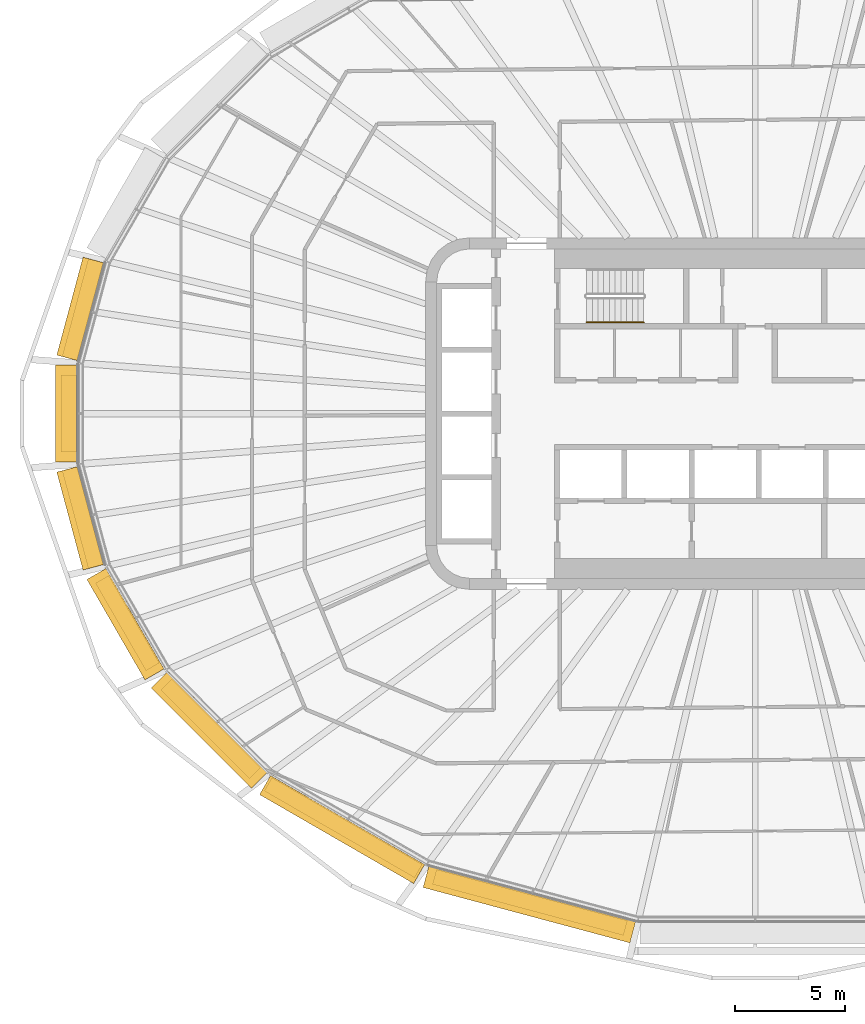
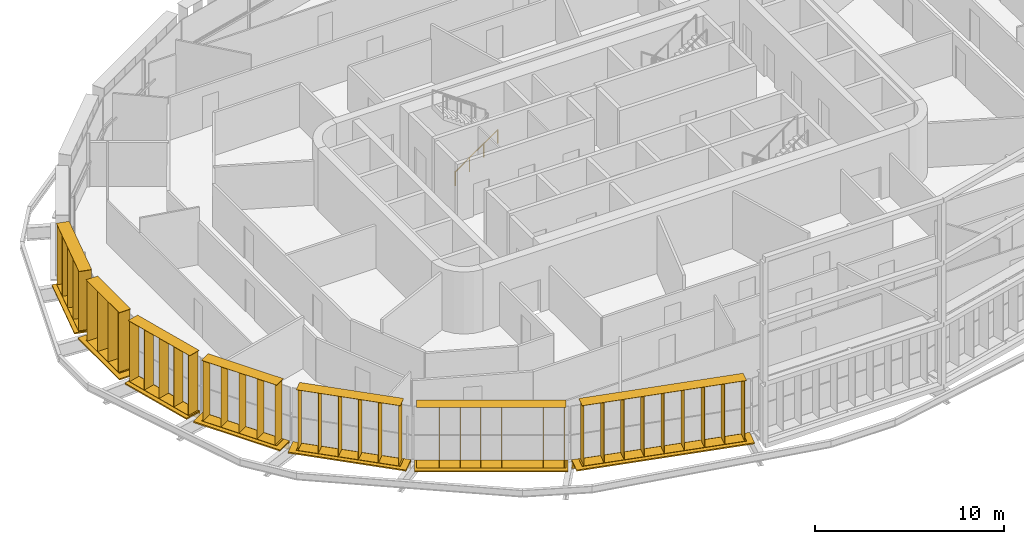
# One storey, part 18 of 23: 14 shading devices, 1 railing.
"""IFC4 building model written with IfcOpenShell, lengths in metres."""

from ifc_helpers import new_model, si_unit, direction, frame, origin, origin_2d, place, context, subcontext, project, spatial, rectangle, circle, extrude, material, type_object, element, save


model = new_model("IFC4")

# Units and contexts
model_context = context("Model", 3, precision=1e-05, world=origin(), true_north=direction((0.0, 1.0)))
body_context = subcontext(model_context, "Body", "Model", "MODEL_VIEW")
ifc_project = project(units=[si_unit("LENGTHUNIT", "METRE"), si_unit("AREAUNIT", "SQUARE_METRE"), si_unit("VOLUMEUNIT", "CUBIC_METRE"), si_unit("PLANEANGLEUNIT", "RADIAN"), si_unit("MASSUNIT", "GRAM", prefix="KILO")], contexts=[model_context])

# Site, building, storey
site_placement = place(None, origin())
site = spatial("IfcSite", under=ifc_project, at=site_placement, CompositionType="ELEMENT")
building_placement = place(site_placement, origin())
building = spatial("IfcBuilding", under=site, at=building_placement, Name="Sahrelin Media Tower", CompositionType="ELEMENT")
storey_placement = place(building_placement, frame((0.0, 0.0, 185.60009765625)))
storey = spatial("IfcBuildingStorey", under=building, at=storey_placement, Name="L39", CompositionType="ELEMENT", Elevation=185.60009765625)

# Shading devices
ifc_material_1 = material(Name="Champagne anodised aluminium 6063-T6", Category="aluminium")
shading_device_type_1 = type_object("IfcShadingDeviceType", Name="Fin cassette", PredefinedType="USERDEFINED", material=ifc_material_1)
placement_1 = place(storey_placement, frame((-30.2041015625, 4.627197265625, 0.0), z_axis=(0.0, 0.0, 1.0), x_axis=(0.258807731996, 0.965928857556, 0.0)))
element("IfcShadingDevice", 1, at=placement_1, inside=storey, type_object=shading_device_type_1, Name="L39:FIN:L39-11", ObjectType="FIN", PredefinedType="USERDEFINED", context=body_context, shape_type="SweptSolid", body=[
    extrude(rectangle(XDim=4.60009765625, YDim=0.699951171875, at=origin_2d()), frame((0.0, 0.419921875, 0.0)), (0.0, 0.0, 1.0), 0.02001953125),
    extrude(rectangle(XDim=4.60009765625, YDim=0.699951171875, at=origin_2d()), frame((0.0, 0.419921875, 3.89990234375)), (0.0, 0.0, 1.0), 0.02001953125),
    extrude(rectangle(XDim=0.02001953125, YDim=0.699951171875, at=origin_2d()), frame((-2.199951171875, 0.419921875, 0.010009765625), z_axis=(0.0, 0.0, 1.0), x_axis=(1.0, 0.0, 0.0)), (0.0, 0.0, 1.0), 3.89990234375),
    extrude(rectangle(XDim=0.02001953125, YDim=0.699951171875, at=origin_2d()), frame((-1.10009765625, 0.419921875, 0.010009765625), z_axis=(0.0, 0.0, 1.0), x_axis=(1.0, 0.0, 0.0)), (0.0, 0.0, 1.0), 3.89990234375),
    extrude(rectangle(XDim=0.02001953125, YDim=0.699951171875, at=origin_2d()), frame((0.0, 0.419921875, 0.010009765625), z_axis=(0.0, 0.0, 1.0), x_axis=(1.0, 0.0, 0.0)), (0.0, 0.0, 1.0), 3.89990234375),
    extrude(rectangle(XDim=0.02001953125, YDim=0.699951171875, at=origin_2d()), frame((1.10009765625, 0.419921875, 0.010009765625), z_axis=(0.0, 0.0, 1.0), x_axis=(1.0, 0.0, 0.0)), (0.0, 0.0, 1.0), 3.89990234375),
    extrude(rectangle(XDim=0.02001953125, YDim=0.699951171875, at=origin_2d()), frame((2.199951171875, 0.419921875, 0.010009765625), z_axis=(0.0, 0.0, 1.0), x_axis=(1.0, 0.0, 0.0)), (0.0, 0.0, 1.0), 3.89990234375),
])
placement_2 = place(storey_placement, frame((-30.827392578125, 0.0, 0.0), z_axis=(0.0, 0.0, 1.0), x_axis=(0.0, 1.0, 0.0)))
element("IfcShadingDevice", 2, at=placement_2, inside=storey, type_object=shading_device_type_1, Name="L39:FIN:L39-12", ObjectType="FIN", PredefinedType="USERDEFINED", context=body_context, shape_type="SweptSolid", body=[
    extrude(rectangle(XDim=3.5, YDim=0.699951171875, at=origin_2d()), frame((0.0, 0.419921875, 0.0)), (0.0, 0.0, 1.0), 0.02001953125),
    extrude(rectangle(XDim=3.5, YDim=0.699951171875, at=origin_2d()), frame((0.0, 0.419921875, 3.89990234375)), (0.0, 0.0, 1.0), 0.02001953125),
    extrude(rectangle(XDim=0.02001953125, YDim=0.699951171875, at=origin_2d()), frame((-1.64990234375, 0.419921875, 0.010009765625), z_axis=(0.0, 0.0, 1.0), x_axis=(1.0, 0.0, 0.0)), (0.0, 0.0, 1.0), 3.89990234375),
    extrude(rectangle(XDim=0.02001953125, YDim=0.699951171875, at=origin_2d()), frame((-0.550048828125, 0.419921875, 0.010009765625), z_axis=(0.0, 0.0, 1.0), x_axis=(1.0, 0.0, 0.0)), (0.0, 0.0, 1.0), 3.89990234375),
    extrude(rectangle(XDim=0.02001953125, YDim=0.699951171875, at=origin_2d()), frame((0.550048828125, 0.419921875, 0.010009765625), z_axis=(0.0, 0.0, 1.0), x_axis=(1.0, 0.0, 0.0)), (0.0, 0.0, 1.0), 3.89990234375),
    extrude(rectangle(XDim=0.02001953125, YDim=0.699951171875, at=origin_2d()), frame((1.64990234375, 0.419921875, 0.010009765625), z_axis=(0.0, 0.0, 1.0), x_axis=(1.0, 0.0, 0.0)), (0.0, 0.0, 1.0), 3.89990234375),
])
placement_3 = place(storey_placement, frame((-30.2041015625, -4.627197265625, 0.0), z_axis=(0.0, 0.0, 1.0), x_axis=(-0.258807731996, 0.965928857556, 0.0)))
element("IfcShadingDevice", 3, at=placement_3, inside=storey, type_object=shading_device_type_1, Name="L39:FIN:L39-13", ObjectType="FIN", PredefinedType="USERDEFINED", context=body_context, shape_type="SweptSolid", body=[
    extrude(rectangle(XDim=4.60009765625, YDim=0.699951171875, at=origin_2d()), frame((0.0, 0.419921875, 0.0)), (0.0, 0.0, 1.0), 0.02001953125),
    extrude(rectangle(XDim=4.60009765625, YDim=0.699951171875, at=origin_2d()), frame((0.0, 0.419921875, 3.89990234375)), (0.0, 0.0, 1.0), 0.02001953125),
    extrude(rectangle(XDim=0.02001953125, YDim=0.699951171875, at=origin_2d()), frame((-2.199951171875, 0.419921875, 0.010009765625), z_axis=(0.0, 0.0, 1.0), x_axis=(1.0, 0.0, 0.0)), (0.0, 0.0, 1.0), 3.89990234375),
    extrude(rectangle(XDim=0.02001953125, YDim=0.699951171875, at=origin_2d()), frame((-1.10009765625, 0.419921875, 0.010009765625), z_axis=(0.0, 0.0, 1.0), x_axis=(1.0, 0.0, 0.0)), (0.0, 0.0, 1.0), 3.89990234375),
    extrude(rectangle(XDim=0.02001953125, YDim=0.699951171875, at=origin_2d()), frame((0.0, 0.419921875, 0.010009765625), z_axis=(0.0, 0.0, 1.0), x_axis=(1.0, 0.0, 0.0)), (0.0, 0.0, 1.0), 3.89990234375),
    extrude(rectangle(XDim=0.02001953125, YDim=0.699951171875, at=origin_2d()), frame((1.10009765625, 0.419921875, 0.010009765625), z_axis=(0.0, 0.0, 1.0), x_axis=(1.0, 0.0, 0.0)), (0.0, 0.0, 1.0), 3.89990234375),
    extrude(rectangle(XDim=0.02001953125, YDim=0.699951171875, at=origin_2d()), frame((2.199951171875, 0.419921875, 0.010009765625), z_axis=(0.0, 0.0, 1.0), x_axis=(1.0, 0.0, 0.0)), (0.0, 0.0, 1.0), 3.89990234375),
])
placement_4 = place(storey_placement, frame((-28.211181640625, -9.324951171875, 0.0), z_axis=(0.0, 0.0, 1.0), x_axis=(-0.500011000363, 0.866019052629, 0.0)))
element("IfcShadingDevice", 4, at=placement_4, inside=storey, type_object=shading_device_type_1, Name="L39:FIN:L39-14", ObjectType="FIN", PredefinedType="USERDEFINED", context=body_context, shape_type="SweptSolid", body=[
    extrude(rectangle(XDim=4.60009765625, YDim=0.699951171875, at=origin_2d()), frame((0.0, 0.419921875, 0.0)), (0.0, 0.0, 1.0), 0.02001953125),
    extrude(rectangle(XDim=4.60009765625, YDim=0.699951171875, at=origin_2d()), frame((0.0, 0.419921875, 3.89990234375)), (0.0, 0.0, 1.0), 0.02001953125),
    extrude(rectangle(XDim=0.02001953125, YDim=0.699951171875, at=origin_2d()), frame((-2.199951171875, 0.419921875, 0.010009765625), z_axis=(0.0, 0.0, 1.0), x_axis=(1.0, 0.0, 0.0)), (0.0, 0.0, 1.0), 3.89990234375),
    extrude(rectangle(XDim=0.02001953125, YDim=0.699951171875, at=origin_2d()), frame((-1.10009765625, 0.419921875, 0.010009765625), z_axis=(0.0, 0.0, 1.0), x_axis=(1.0, 0.0, 0.0)), (0.0, 0.0, 1.0), 3.89990234375),
    extrude(rectangle(XDim=0.02001953125, YDim=0.699951171875, at=origin_2d()), frame((0.0, 0.419921875, 0.010009765625), z_axis=(0.0, 0.0, 1.0), x_axis=(1.0, 0.0, 0.0)), (0.0, 0.0, 1.0), 3.89990234375),
    extrude(rectangle(XDim=0.02001953125, YDim=0.699951171875, at=origin_2d()), frame((1.10009765625, 0.419921875, 0.010009765625), z_axis=(0.0, 0.0, 1.0), x_axis=(1.0, 0.0, 0.0)), (0.0, 0.0, 1.0), 3.89990234375),
    extrude(rectangle(XDim=0.02001953125, YDim=0.699951171875, at=origin_2d()), frame((2.199951171875, 0.419921875, 0.010009765625), z_axis=(0.0, 0.0, 1.0), x_axis=(1.0, 0.0, 0.0)), (0.0, 0.0, 1.0), 3.89990234375),
])
placement_5 = place(storey_placement, frame((-24.48779296875, -14.05126953125, 0.0), z_axis=(0.0, 0.0, 1.0), x_axis=(-0.707106781187, 0.707106781187, 0.0)))
element("IfcShadingDevice", 5, at=placement_5, inside=storey, type_object=shading_device_type_1, Name="L39:FIN:L39-15", ObjectType="FIN", PredefinedType="USERDEFINED", context=body_context, shape_type="SweptSolid", body=[
    extrude(rectangle(XDim=5.699951171875, YDim=0.699951171875, at=origin_2d()), frame((0.0, 0.419921875, 0.0)), (0.0, 0.0, 1.0), 0.02001953125),
    extrude(rectangle(XDim=5.699951171875, YDim=0.699951171875, at=origin_2d()), frame((0.0, 0.419921875, 3.89990234375)), (0.0, 0.0, 1.0), 0.02001953125),
    extrude(rectangle(XDim=0.02001953125, YDim=0.699951171875, at=origin_2d()), frame((-2.75, 0.419921875, 0.010009765625), z_axis=(0.0, 0.0, 1.0), x_axis=(1.0, 0.0, 0.0)), (0.0, 0.0, 1.0), 3.89990234375),
    extrude(rectangle(XDim=0.02001953125, YDim=0.699951171875, at=origin_2d()), frame((-1.64990234375, 0.419921875, 0.010009765625), z_axis=(0.0, 0.0, 1.0), x_axis=(1.0, 0.0, 0.0)), (0.0, 0.0, 1.0), 3.89990234375),
    extrude(rectangle(XDim=0.02001953125, YDim=0.699951171875, at=origin_2d()), frame((-0.550048828125, 0.419921875, 0.010009765625), z_axis=(0.0, 0.0, 1.0), x_axis=(1.0, 0.0, 0.0)), (0.0, 0.0, 1.0), 3.89990234375),
    extrude(rectangle(XDim=0.02001953125, YDim=0.699951171875, at=origin_2d()), frame((0.550048828125, 0.419921875, 0.010009765625), z_axis=(0.0, 0.0, 1.0), x_axis=(1.0, 0.0, 0.0)), (0.0, 0.0, 1.0), 3.89990234375),
    extrude(rectangle(XDim=0.02001953125, YDim=0.699951171875, at=origin_2d()), frame((1.64990234375, 0.419921875, 0.010009765625), z_axis=(0.0, 0.0, 1.0), x_axis=(1.0, 0.0, 0.0)), (0.0, 0.0, 1.0), 3.89990234375),
    extrude(rectangle(XDim=0.02001953125, YDim=0.699951171875, at=origin_2d()), frame((2.75, 0.419921875, 0.010009765625), z_axis=(0.0, 0.0, 1.0), x_axis=(1.0, 0.0, 0.0)), (0.0, 0.0, 1.0), 3.89990234375),
])
placement_6 = place(storey_placement, frame((-18.54052734375, -18.47998046875, 0.0), z_axis=(0.0, 0.0, 1.0), x_axis=(-0.866019052629, 0.500011000363, 0.0)))
element("IfcShadingDevice", 6, at=placement_6, inside=storey, type_object=shading_device_type_1, Name="L39:FIN:L39-16", ObjectType="FIN", PredefinedType="USERDEFINED", context=body_context, shape_type="SweptSolid", body=[
    extrude(rectangle(XDim=7.89990234375, YDim=0.699951171875, at=origin_2d()), frame((0.0, 0.419921875, 0.0)), (0.0, 0.0, 1.0), 0.02001953125),
    extrude(rectangle(XDim=7.89990234375, YDim=0.699951171875, at=origin_2d()), frame((0.0, 0.419921875, 3.89990234375)), (0.0, 0.0, 1.0), 0.02001953125),
    extrude(rectangle(XDim=0.02001953125, YDim=0.699951171875, at=origin_2d()), frame((-3.85009765625, 0.419921875, 0.010009765625), z_axis=(0.0, 0.0, 1.0), x_axis=(1.0, 0.0, 0.0)), (0.0, 0.0, 1.0), 3.89990234375),
    extrude(rectangle(XDim=0.02001953125, YDim=0.699951171875, at=origin_2d()), frame((-2.75, 0.419921875, 0.010009765625), z_axis=(0.0, 0.0, 1.0), x_axis=(1.0, 0.0, 0.0)), (0.0, 0.0, 1.0), 3.89990234375),
    extrude(rectangle(XDim=0.02001953125, YDim=0.699951171875, at=origin_2d()), frame((-1.64990234375, 0.419921875, 0.010009765625), z_axis=(0.0, 0.0, 1.0), x_axis=(1.0, 0.0, 0.0)), (0.0, 0.0, 1.0), 3.89990234375),
    extrude(rectangle(XDim=0.02001953125, YDim=0.699951171875, at=origin_2d()), frame((-0.550048828125, 0.419921875, 0.010009765625), z_axis=(0.0, 0.0, 1.0), x_axis=(1.0, 0.0, 0.0)), (0.0, 0.0, 1.0), 3.89990234375),
    extrude(rectangle(XDim=0.02001953125, YDim=0.699951171875, at=origin_2d()), frame((0.550048828125, 0.419921875, 0.010009765625), z_axis=(0.0, 0.0, 1.0), x_axis=(1.0, 0.0, 0.0)), (0.0, 0.0, 1.0), 3.89990234375),
    extrude(rectangle(XDim=0.02001953125, YDim=0.699951171875, at=origin_2d()), frame((1.64990234375, 0.419921875, 0.010009765625), z_axis=(0.0, 0.0, 1.0), x_axis=(1.0, 0.0, 0.0)), (0.0, 0.0, 1.0), 3.89990234375),
    extrude(rectangle(XDim=0.02001953125, YDim=0.699951171875, at=origin_2d()), frame((2.75, 0.419921875, 0.010009765625), z_axis=(0.0, 0.0, 1.0), x_axis=(1.0, 0.0, 0.0)), (0.0, 0.0, 1.0), 3.89990234375),
    extrude(rectangle(XDim=0.02001953125, YDim=0.699951171875, at=origin_2d()), frame((3.85009765625, 0.419921875, 0.010009765625), z_axis=(0.0, 0.0, 1.0), x_axis=(1.0, 0.0, 0.0)), (0.0, 0.0, 1.0), 3.89990234375),
])
placement_7 = place(storey_placement, frame((-10.143310546875, -21.841796875, 0.0), z_axis=(0.0, 0.0, 1.0), x_axis=(-0.965928857556, 0.258807731996, 0.0)))
element("IfcShadingDevice", 7, at=placement_7, inside=storey, type_object=shading_device_type_1, Name="L39:FIN:L39-17", ObjectType="FIN", PredefinedType="USERDEFINED", context=body_context, shape_type="SweptSolid", body=[
    extrude(rectangle(XDim=9.0, YDim=0.699951171875, at=origin_2d()), frame((0.0, 0.419921875, 0.0)), (0.0, 0.0, 1.0), 0.02001953125),
    extrude(rectangle(XDim=9.0, YDim=0.699951171875, at=origin_2d()), frame((0.0, 0.419921875, 3.89990234375)), (0.0, 0.0, 1.0), 0.02001953125),
    extrude(rectangle(XDim=0.02001953125, YDim=0.699951171875, at=origin_2d()), frame((-4.39990234375, 0.419921875, 0.010009765625), z_axis=(0.0, 0.0, 1.0), x_axis=(1.0, 0.0, 0.0)), (0.0, 0.0, 1.0), 3.89990234375),
    extrude(rectangle(XDim=0.02001953125, YDim=0.699951171875, at=origin_2d()), frame((-3.300048828125, 0.419921875, 0.010009765625), z_axis=(0.0, 0.0, 1.0), x_axis=(1.0, 0.0, 0.0)), (0.0, 0.0, 1.0), 3.89990234375),
    extrude(rectangle(XDim=0.02001953125, YDim=0.699951171875, at=origin_2d()), frame((-2.199951171875, 0.419921875, 0.010009765625), z_axis=(0.0, 0.0, 1.0), x_axis=(1.0, 0.0, 0.0)), (0.0, 0.0, 1.0), 3.89990234375),
    extrude(rectangle(XDim=0.02001953125, YDim=0.699951171875, at=origin_2d()), frame((-1.10009765625, 0.419921875, 0.010009765625), z_axis=(0.0, 0.0, 1.0), x_axis=(1.0, 0.0, 0.0)), (0.0, 0.0, 1.0), 3.89990234375),
    extrude(rectangle(XDim=0.02001953125, YDim=0.699951171875, at=origin_2d()), frame((0.0, 0.419921875, 0.010009765625), z_axis=(0.0, 0.0, 1.0), x_axis=(1.0, 0.0, 0.0)), (0.0, 0.0, 1.0), 3.89990234375),
    extrude(rectangle(XDim=0.02001953125, YDim=0.699951171875, at=origin_2d()), frame((1.10009765625, 0.419921875, 0.010009765625), z_axis=(0.0, 0.0, 1.0), x_axis=(1.0, 0.0, 0.0)), (0.0, 0.0, 1.0), 3.89990234375),
    extrude(rectangle(XDim=0.02001953125, YDim=0.699951171875, at=origin_2d()), frame((2.199951171875, 0.419921875, 0.010009765625), z_axis=(0.0, 0.0, 1.0), x_axis=(1.0, 0.0, 0.0)), (0.0, 0.0, 1.0), 3.89990234375),
    extrude(rectangle(XDim=0.02001953125, YDim=0.699951171875, at=origin_2d()), frame((3.300048828125, 0.419921875, 0.010009765625), z_axis=(0.0, 0.0, 1.0), x_axis=(1.0, 0.0, 0.0)), (0.0, 0.0, 1.0), 3.89990234375),
    extrude(rectangle(XDim=0.02001953125, YDim=0.699951171875, at=origin_2d()), frame((4.39990234375, 0.419921875, 0.010009765625), z_axis=(0.0, 0.0, 1.0), x_axis=(1.0, 0.0, 0.0)), (0.0, 0.0, 1.0), 3.89990234375),
])

# Railing
ifc_material_2 = material(Name="Steel S355", Category="steel")
railing_type = type_object("IfcRailingType", Name="Stair handrail 900", PredefinedType="HANDRAIL", material=ifc_material_2)
railing_placement = place(storey_placement, frame((-7.675048828125, 4.14990234375, 0.181640625)))
element("IfcRailing", 8, at=railing_placement, inside=storey, type_object=railing_type, Name="L39 ST1 stair handrail 1", PredefinedType="HANDRAIL", context=body_context, shape_type="SweptSolid", body=[
    extrude(circle(Radius=0.02392578125, at=origin_2d()), frame((0.0, 0.0, 0.8759765625), z_axis=(0.819484887739, 0.0, 0.573100792852), x_axis=(0.0, 1.0, 0.0)), (0.0, 0.0, 1.0), 3.1728515625),
    extrude(circle(Radius=0.02099609375, at=origin_2d()), origin(), (0.0, 0.0, 1.0), 0.851806640625),
    extrude(circle(Radius=0.02099609375, at=origin_2d()), frame((0.86669921875, 0.0, 0.606201171875)), (0.0, 0.0, 1.0), 0.851806640625),
    extrude(circle(Radius=0.02099609375, at=origin_2d()), frame((1.7333984375, 0.0, 1.212158203125)), (0.0, 0.0, 1.0), 0.851806640625),
    extrude(circle(Radius=0.02099609375, at=origin_2d()), frame((2.60009765625, 0.0, 1.818359375)), (0.0, 0.0, 1.0), 0.851806640625),
])

# Shading devices
shading_device_type_2 = type_object("IfcShadingDeviceType", Name="Sunshade band", PredefinedType="USERDEFINED", material=ifc_material_1)
element("IfcShadingDevice", 9, at=placement_1, inside=storey, type_object=shading_device_type_2, Name="L39:SUN:L39-11", ObjectType="SUNSHADE", PredefinedType="USERDEFINED", context=body_context, shape_type="SweptSolid", body=[
    extrude(rectangle(XDim=4.61474609375, YDim=0.050048828125, at=origin_2d()), frame((0.0, 0.044921875, -0.55126953125)), (0.0, 0.0, 1.0), 0.471435546875),
    extrude(rectangle(XDim=4.61474609375, YDim=1.0, at=origin_2d()), frame((0.0, 0.52001953125, -0.080078125)), (0.0, 0.0, 1.0), 0.080078125),
    extrude(rectangle(XDim=0.10009765625, YDim=0.074951171875, at=origin_2d()), frame((-2.20751953125, -0.017578125, -0.47021484375)), (0.0, 0.0, 1.0), 0.300048828125),
    extrude(rectangle(XDim=0.10009765625, YDim=0.074951171875, at=origin_2d()), frame((-0.73583984375, -0.017578125, -0.47021484375)), (0.0, 0.0, 1.0), 0.300048828125),
    extrude(rectangle(XDim=0.10009765625, YDim=0.074951171875, at=origin_2d()), frame((0.73583984375, -0.017578125, -0.47021484375)), (0.0, 0.0, 1.0), 0.300048828125),
    extrude(rectangle(XDim=0.10009765625, YDim=0.074951171875, at=origin_2d()), frame((2.20751953125, -0.017578125, -0.47021484375)), (0.0, 0.0, 1.0), 0.300048828125),
])
element("IfcShadingDevice", 10, at=placement_2, inside=storey, type_object=shading_device_type_2, Name="L39:SUN:L39-12", ObjectType="SUNSHADE", PredefinedType="USERDEFINED", context=body_context, shape_type="SweptSolid", body=[
    extrude(rectangle(XDim=4.403564453125, YDim=0.050048828125, at=origin_2d()), frame((0.0, 0.044921875, -0.55126953125)), (0.0, 0.0, 1.0), 0.471435546875),
    extrude(rectangle(XDim=4.403564453125, YDim=1.0, at=origin_2d()), frame((0.0, 0.52001953125, -0.080078125)), (0.0, 0.0, 1.0), 0.080078125),
    extrude(rectangle(XDim=0.10009765625, YDim=0.074951171875, at=origin_2d()), frame((-2.101806640625, -0.017578125, -0.47021484375)), (0.0, 0.0, 1.0), 0.300048828125),
    extrude(rectangle(XDim=0.10009765625, YDim=0.074951171875, at=origin_2d()), frame((-0.70068359375, -0.017578125, -0.47021484375)), (0.0, 0.0, 1.0), 0.300048828125),
    extrude(rectangle(XDim=0.10009765625, YDim=0.074951171875, at=origin_2d()), frame((0.70068359375, -0.017578125, -0.47021484375)), (0.0, 0.0, 1.0), 0.300048828125),
    extrude(rectangle(XDim=0.10009765625, YDim=0.074951171875, at=origin_2d()), frame((2.101806640625, -0.017578125, -0.47021484375)), (0.0, 0.0, 1.0), 0.300048828125),
])
element("IfcShadingDevice", 11, at=placement_3, inside=storey, type_object=shading_device_type_2, Name="L39:SUN:L39-13", ObjectType="SUNSHADE", PredefinedType="USERDEFINED", context=body_context, shape_type="SweptSolid", body=[
    extrude(rectangle(XDim=4.61474609375, YDim=0.050048828125, at=origin_2d()), frame((0.0, 0.044921875, -0.55126953125)), (0.0, 0.0, 1.0), 0.471435546875),
    extrude(rectangle(XDim=4.61474609375, YDim=1.0, at=origin_2d()), frame((0.0, 0.52001953125, -0.080078125)), (0.0, 0.0, 1.0), 0.080078125),
    extrude(rectangle(XDim=0.10009765625, YDim=0.074951171875, at=origin_2d()), frame((-2.20751953125, -0.017578125, -0.47021484375)), (0.0, 0.0, 1.0), 0.300048828125),
    extrude(rectangle(XDim=0.10009765625, YDim=0.074951171875, at=origin_2d()), frame((-0.73583984375, -0.017578125, -0.47021484375)), (0.0, 0.0, 1.0), 0.300048828125),
    extrude(rectangle(XDim=0.10009765625, YDim=0.074951171875, at=origin_2d()), frame((0.73583984375, -0.017578125, -0.47021484375)), (0.0, 0.0, 1.0), 0.300048828125),
    extrude(rectangle(XDim=0.10009765625, YDim=0.074951171875, at=origin_2d()), frame((2.20751953125, -0.017578125, -0.47021484375)), (0.0, 0.0, 1.0), 0.300048828125),
])
element("IfcShadingDevice", 12, at=placement_4, inside=storey, type_object=shading_device_type_2, Name="L39:SUN:L39-14", ObjectType="SUNSHADE", PredefinedType="USERDEFINED", context=body_context, shape_type="SweptSolid", body=[
    extrude(rectangle(XDim=5.279052734375, YDim=0.050048828125, at=origin_2d()), frame((0.0, 0.044921875, -0.55126953125)), (0.0, 0.0, 1.0), 0.471435546875),
    extrude(rectangle(XDim=5.279052734375, YDim=1.0, at=origin_2d()), frame((0.0, 0.52001953125, -0.080078125)), (0.0, 0.0, 1.0), 0.080078125),
    extrude(rectangle(XDim=0.10009765625, YDim=0.074951171875, at=origin_2d()), frame((-2.53955078125, -0.017578125, -0.47021484375)), (0.0, 0.0, 1.0), 0.300048828125),
    extrude(rectangle(XDim=0.10009765625, YDim=0.074951171875, at=origin_2d()), frame((-0.846435546875, -0.017578125, -0.47021484375)), (0.0, 0.0, 1.0), 0.300048828125),
    extrude(rectangle(XDim=0.10009765625, YDim=0.074951171875, at=origin_2d()), frame((0.846435546875, -0.017578125, -0.47021484375)), (0.0, 0.0, 1.0), 0.300048828125),
    extrude(rectangle(XDim=0.10009765625, YDim=0.074951171875, at=origin_2d()), frame((2.53955078125, -0.017578125, -0.47021484375)), (0.0, 0.0, 1.0), 0.300048828125),
])
element("IfcShadingDevice", 13, at=placement_5, inside=storey, type_object=shading_device_type_2, Name="L39:SUN:L39-15", ObjectType="SUNSHADE", PredefinedType="USERDEFINED", context=body_context, shape_type="SweptSolid", body=[
    extrude(rectangle(XDim=6.45751953125, YDim=0.050048828125, at=origin_2d()), frame((0.0, 0.044921875, -0.55126953125)), (0.0, 0.0, 1.0), 0.471435546875),
    extrude(rectangle(XDim=6.45751953125, YDim=1.0, at=origin_2d()), frame((0.0, 0.52001953125, -0.080078125)), (0.0, 0.0, 1.0), 0.080078125),
    extrude(rectangle(XDim=0.10009765625, YDim=0.074951171875, at=origin_2d()), frame((-3.12890625, -0.017578125, -0.47021484375)), (0.0, 0.0, 1.0), 0.300048828125),
    extrude(rectangle(XDim=0.10009765625, YDim=0.074951171875, at=origin_2d()), frame((-1.564453125, -0.017578125, -0.47021484375)), (0.0, 0.0, 1.0), 0.300048828125),
    extrude(rectangle(XDim=0.10009765625, YDim=0.074951171875, at=origin_2d()), frame((0.0, -0.017578125, -0.47021484375)), (0.0, 0.0, 1.0), 0.300048828125),
    extrude(rectangle(XDim=0.10009765625, YDim=0.074951171875, at=origin_2d()), frame((1.564453125, -0.017578125, -0.47021484375)), (0.0, 0.0, 1.0), 0.300048828125),
    extrude(rectangle(XDim=0.10009765625, YDim=0.074951171875, at=origin_2d()), frame((3.12890625, -0.017578125, -0.47021484375)), (0.0, 0.0, 1.0), 0.300048828125),
])
element("IfcShadingDevice", 14, at=placement_6, inside=storey, type_object=shading_device_type_2, Name="L39:SUN:L39-16", ObjectType="SUNSHADE", PredefinedType="USERDEFINED", context=body_context, shape_type="SweptSolid", body=[
    extrude(rectangle(XDim=8.09912109375, YDim=0.050048828125, at=origin_2d()), frame((0.0, 0.044921875, -0.55126953125)), (0.0, 0.0, 1.0), 0.471435546875),
    extrude(rectangle(XDim=8.09912109375, YDim=1.0, at=origin_2d()), frame((0.0, 0.52001953125, -0.080078125)), (0.0, 0.0, 1.0), 0.080078125),
    extrude(rectangle(XDim=0.10009765625, YDim=0.074951171875, at=origin_2d()), frame((-3.949462890625, -0.017578125, -0.47021484375)), (0.0, 0.0, 1.0), 0.300048828125),
    extrude(rectangle(XDim=0.10009765625, YDim=0.074951171875, at=origin_2d()), frame((-2.36962890625, -0.017578125, -0.47021484375)), (0.0, 0.0, 1.0), 0.300048828125),
    extrude(rectangle(XDim=0.10009765625, YDim=0.074951171875, at=origin_2d()), frame((-0.789794921875, -0.017578125, -0.47021484375)), (0.0, 0.0, 1.0), 0.300048828125),
    extrude(rectangle(XDim=0.10009765625, YDim=0.074951171875, at=origin_2d()), frame((0.789794921875, -0.017578125, -0.47021484375)), (0.0, 0.0, 1.0), 0.300048828125),
    extrude(rectangle(XDim=0.10009765625, YDim=0.074951171875, at=origin_2d()), frame((2.36962890625, -0.017578125, -0.47021484375)), (0.0, 0.0, 1.0), 0.300048828125),
    extrude(rectangle(XDim=0.10009765625, YDim=0.074951171875, at=origin_2d()), frame((3.949462890625, -0.017578125, -0.47021484375)), (0.0, 0.0, 1.0), 0.300048828125),
])
element("IfcShadingDevice", 15, at=placement_7, inside=storey, type_object=shading_device_type_2, Name="L39:SUN:L39-17", ObjectType="SUNSHADE", PredefinedType="USERDEFINED", context=body_context, shape_type="SweptSolid", body=[
    extrude(rectangle(XDim=9.74609375, YDim=0.050048828125, at=origin_2d()), frame((0.0, 0.044921875, -0.55126953125)), (0.0, 0.0, 1.0), 0.471435546875),
    extrude(rectangle(XDim=9.74609375, YDim=1.0, at=origin_2d()), frame((0.0, 0.52001953125, -0.080078125)), (0.0, 0.0, 1.0), 0.080078125),
    extrude(rectangle(XDim=0.10009765625, YDim=0.074951171875, at=origin_2d()), frame((-4.773193359375, -0.017578125, -0.47021484375)), (0.0, 0.0, 1.0), 0.300048828125),
    extrude(rectangle(XDim=0.10009765625, YDim=0.074951171875, at=origin_2d()), frame((-2.864013671875, -0.017578125, -0.47021484375)), (0.0, 0.0, 1.0), 0.300048828125),
    extrude(rectangle(XDim=0.10009765625, YDim=0.074951171875, at=origin_2d()), frame((-0.95458984375, -0.017578125, -0.47021484375)), (0.0, 0.0, 1.0), 0.300048828125),
    extrude(rectangle(XDim=0.10009765625, YDim=0.074951171875, at=origin_2d()), frame((0.95458984375, -0.017578125, -0.47021484375)), (0.0, 0.0, 1.0), 0.300048828125),
    extrude(rectangle(XDim=0.10009765625, YDim=0.074951171875, at=origin_2d()), frame((2.864013671875, -0.017578125, -0.47021484375)), (0.0, 0.0, 1.0), 0.300048828125),
    extrude(rectangle(XDim=0.10009765625, YDim=0.074951171875, at=origin_2d()), frame((4.773193359375, -0.017578125, -0.47021484375)), (0.0, 0.0, 1.0), 0.300048828125),
])

save(model, "model.ifc")
